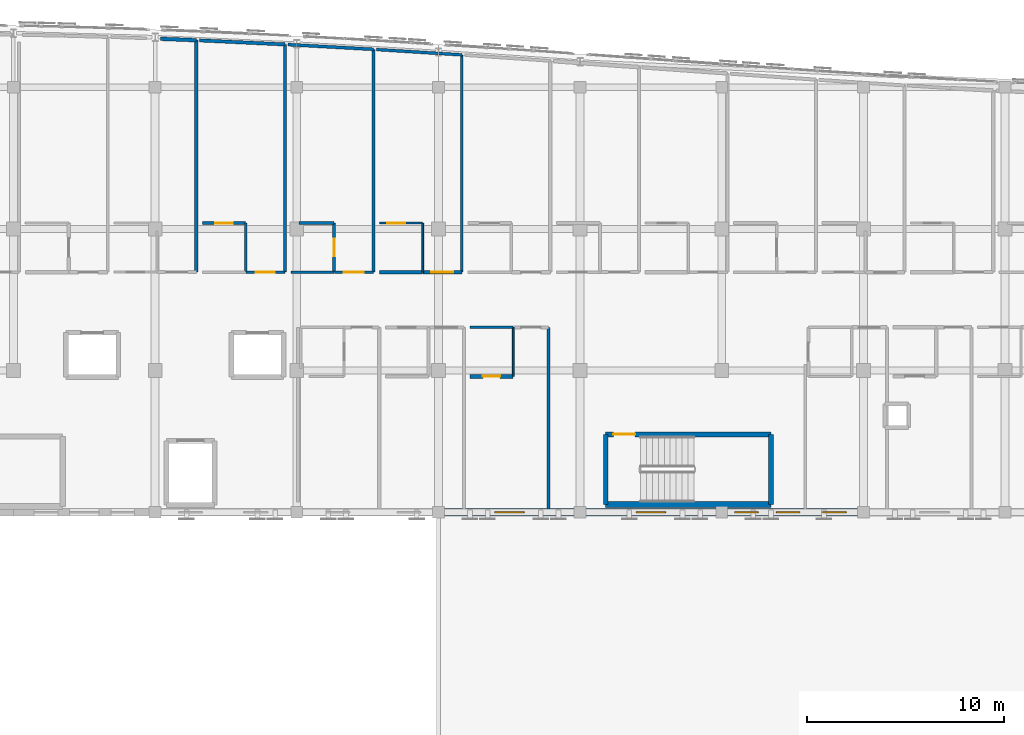
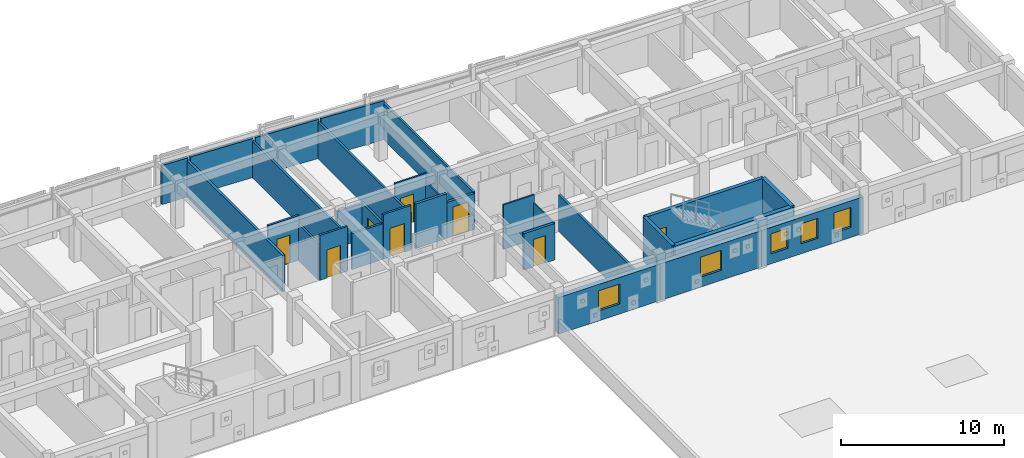
# One storey, part 43 of 50: 30 walls, 8 doors, 5 windows, 13 openings.
"""IFC4 building model written with IfcOpenShell, lengths in metres."""

from ifc_helpers import new_model, si_unit, direction, frame, frame_2d, origin, place, context, subcontext, project, spatial, rectangle, extrude, material, layer, layer_set, type_object, element, fill, save


model = new_model("IFC4")

# Units and contexts
model_context = context("Model", 3, precision=1e-05, world=origin(), true_north=direction((0.0, 1.0)))
body_context = subcontext(model_context, "Body", "Model", "MODEL_VIEW")
ifc_project = project(units=[si_unit("LENGTHUNIT", "METRE"), si_unit("AREAUNIT", "SQUARE_METRE"), si_unit("VOLUMEUNIT", "CUBIC_METRE"), si_unit("PLANEANGLEUNIT", "RADIAN"), si_unit("MASSUNIT", "GRAM", prefix="KILO")], contexts=[model_context])

# Site, building, storey
site_placement = place(None, origin())
site = spatial("IfcSite", under=ifc_project, at=site_placement, CompositionType="ELEMENT")
building_placement = place(site_placement, origin())
building = spatial("IfcBuilding", under=site, at=building_placement, Name="Carrowvane Square Congress Hotel", CompositionType="ELEMENT")
storey_placement = place(building_placement, frame((0.0, 0.0, 22.800048828125)))
storey = spatial("IfcBuildingStorey", under=building, at=storey_placement, Name="L05", CompositionType="ELEMENT", Elevation=22.800048828125)

# Wall, openings, windows
ifc_material_1 = material(Name="Glazed terracotta rainscreen", Category="masonry")
ifc_layer_1 = layer(ifc_material_1, 0.360107421875)
ifc_layer_set_1 = layer_set([ifc_layer_1], Name="Glazed terracotta rainscreen")
wall_type_1 = type_object("IfcWallType", Name="WL-EXT-TC360", PredefinedType="STANDARD", material=ifc_layer_set_1)
wall_1_placement = place(storey_placement, frame((148.39990234375, 91.800048828125, 0.0), z_axis=(0.0, 0.0, 1.0), x_axis=(-1.0, 0.0, 0.0)))
wall_1 = element("IfcWall", 1, at=wall_1_placement, inside=storey, type_object=wall_type_1, Name="L05 exterior facade wall 460", PredefinedType="STANDARD", context=body_context, shape_type="SweptSolid", body=[
    extrude(rectangle(XDim=7.199951171875, YDim=0.360107421875, at=frame_2d((3.60009765625, 0.0))), origin(), (0.0, 0.0, 1.0), 2.73486328125),
])
opening_1_placement = place(wall_1_placement, frame((0.875, 0.0, 0.75)))
opening_1 = element("IfcOpeningElement", 2, at=opening_1_placement, cuts=wall_1, Name="Opening W-01", PredefinedType="OPENING", context=body_context, shape_type="SweptSolid", body=[
    extrude(rectangle(XDim=1.199951171875, YDim=1.5, at=frame_2d((0.60009765625, 0.75))), frame((0.0, 0.18994140625, 0.0), z_axis=(0.0, -1.0, 0.0), x_axis=(1.0, 0.0, 0.0)), (0.0, 0.0, 1.0), 0.380126953125),
])
opening_2_placement = place(wall_1_placement, frame((3.22509765625, 0.0, 0.75)))
opening_2 = element("IfcOpeningElement", 3, at=opening_2_placement, cuts=wall_1, Name="Opening W-01", PredefinedType="OPENING", context=body_context, shape_type="SweptSolid", body=[
    extrude(rectangle(XDim=1.199951171875, YDim=1.5, at=frame_2d((0.60009765625, 0.75))), frame((0.0, 0.18994140625, 0.0), z_axis=(0.0, -1.0, 0.0), x_axis=(1.0, 0.0, 0.0)), (0.0, 0.0, 1.0), 0.380126953125),
])
opening_3_placement = place(wall_1_placement, frame((5.35009765625, 0.0, 0.75)))
opening_3 = element("IfcOpeningElement", 4, at=opening_3_placement, cuts=wall_1, Name="Opening W-01", PredefinedType="OPENING", context=body_context, shape_type="SweptSolid", body=[
    extrude(rectangle(XDim=1.199951171875, YDim=1.5, at=frame_2d((0.60009765625, 0.75))), frame((0.0, 0.18994140625, 0.0), z_axis=(0.0, -1.0, 0.0), x_axis=(1.0, 0.0, 0.0)), (0.0, 0.0, 1.0), 0.380126953125),
])
ifc_material_2 = material(Name="Double-glazed low-E glass", Category="glass")
window_type_1 = type_object("IfcWindowType", Name="WIN-01", PartitioningType="SINGLE_PANEL", PredefinedType="WINDOW", material=ifc_material_2)
window_1_placement = place(opening_1_placement, origin())
window_1 = element("IfcWindow", 5, at=window_1_placement, inside=storey, type_object=window_type_1, Name="L05 facade window 288", OverallHeight=1.5, OverallWidth=1.199951171875, PartitioningType="SINGLE_PANEL", PredefinedType="WINDOW", context=body_context, shape_type="SweptSolid", body=[
    extrude(rectangle(XDim=1.199951171875, YDim=1.5, at=frame_2d((0.60009765625, 0.75))), frame((0.0, 0.030029296875, 0.0), z_axis=(0.0, -1.0, 0.0), x_axis=(1.0, 0.0, 0.0)), (0.0, 0.0, 1.0), 0.06005859375),
])
fill(opening_1, window_1)
window_2_placement = place(opening_2_placement, origin())
window_2 = element("IfcWindow", 6, at=window_2_placement, inside=storey, type_object=window_type_1, Name="L05 split-bay facade window WIN-L05-0288-1", OverallHeight=1.5, OverallWidth=1.199951171875, PartitioningType="SINGLE_PANEL", PredefinedType="WINDOW", context=body_context, shape_type="SweptSolid", body=[
    extrude(rectangle(XDim=1.199951171875, YDim=1.5, at=frame_2d((0.60009765625, 0.75))), frame((0.0, 0.030029296875, 0.0), z_axis=(0.0, -1.0, 0.0), x_axis=(1.0, 0.0, 0.0)), (0.0, 0.0, 1.0), 0.06005859375),
])
fill(opening_2, window_2)
window_3_placement = place(opening_3_placement, origin())
window_3 = element("IfcWindow", 7, at=window_3_placement, inside=storey, type_object=window_type_1, Name="L05 split-bay facade window WIN-L05-0288-2", OverallHeight=1.5, OverallWidth=1.199951171875, PartitioningType="SINGLE_PANEL", PredefinedType="WINDOW", context=body_context, shape_type="SweptSolid", body=[
    extrude(rectangle(XDim=1.199951171875, YDim=1.5, at=frame_2d((0.60009765625, 0.75))), frame((0.0, 0.030029296875, 0.0), z_axis=(0.0, -1.0, 0.0), x_axis=(1.0, 0.0, 0.0)), (0.0, 0.0, 1.0), 0.06005859375),
])
fill(opening_3, window_3)

# Wall, opening, window
wall_2_placement = place(storey_placement, frame((141.199951171875, 91.800048828125, 0.0), z_axis=(0.0, 0.0, 1.0), x_axis=(-1.0, 0.0, 0.0)))
wall_2 = element("IfcWall", 8, at=wall_2_placement, inside=storey, type_object=wall_type_1, Name="L05 exterior facade wall 461", PredefinedType="STANDARD", context=body_context, shape_type="SweptSolid", body=[
    extrude(rectangle(XDim=7.199951171875, YDim=0.360107421875, at=frame_2d((3.60009765625, 0.0))), origin(), (0.0, 0.0, 1.0), 2.73486328125),
])
opening_4_placement = place(wall_2_placement, frame((2.85009765625, 0.0, 0.75)))
opening_4 = element("IfcOpeningElement", 9, at=opening_4_placement, cuts=wall_2, Name="Opening W-15", PredefinedType="OPENING", context=body_context, shape_type="SweptSolid", body=[
    extrude(rectangle(XDim=1.5, YDim=1.5, at=frame_2d((0.75, 0.75))), frame((0.0, 0.18994140625, 0.0), z_axis=(0.0, -1.0, 0.0), x_axis=(1.0, 0.0, 0.0)), (0.0, 0.0, 1.0), 0.380126953125),
])
ifc_material_3 = material(Name="Double-glazed low-E glass", Category="glass")
window_type_2 = type_object("IfcWindowType", Name="WIN-15", PartitioningType="SINGLE_PANEL", PredefinedType="WINDOW", material=ifc_material_3)
window_4_placement = place(opening_4_placement, origin())
window_4 = element("IfcWindow", 10, at=window_4_placement, inside=storey, type_object=window_type_2, Name="L05 facade window 289", OverallHeight=1.5, OverallWidth=1.5, PartitioningType="SINGLE_PANEL", PredefinedType="WINDOW", context=body_context, shape_type="SweptSolid", body=[
    extrude(rectangle(XDim=1.5, YDim=1.5, at=frame_2d((0.75, 0.75))), frame((0.0, 0.030029296875, 0.0), z_axis=(0.0, -1.0, 0.0), x_axis=(1.0, 0.0, 0.0)), (0.0, 0.0, 1.0), 0.06005859375),
])
fill(opening_4, window_4)

wall_3_placement = place(storey_placement, frame((134.0, 91.800048828125, 0.0), z_axis=(0.0, 0.0, 1.0), x_axis=(-1.0, 0.0, 0.0)))
wall_3 = element("IfcWall", 11, at=wall_3_placement, inside=storey, type_object=wall_type_1, Name="L05 exterior facade wall 462", PredefinedType="STANDARD", context=body_context, shape_type="SweptSolid", body=[
    extrude(rectangle(XDim=7.199951171875, YDim=0.360107421875, at=frame_2d((3.60009765625, 0.0))), origin(), (0.0, 0.0, 1.0), 2.73486328125),
])
opening_5_placement = place(wall_3_placement, frame((2.85009765625, 0.0, 0.75)))
opening_5 = element("IfcOpeningElement", 12, at=opening_5_placement, cuts=wall_3, Name="Opening W-15", PredefinedType="OPENING", context=body_context, shape_type="SweptSolid", body=[
    extrude(rectangle(XDim=1.5, YDim=1.5, at=frame_2d((0.75, 0.75))), frame((0.0, 0.18994140625, 0.0), z_axis=(0.0, -1.0, 0.0), x_axis=(1.0, 0.0, 0.0)), (0.0, 0.0, 1.0), 0.380126953125),
])
window_5_placement = place(opening_5_placement, origin())
window_5 = element("IfcWindow", 13, at=window_5_placement, inside=storey, type_object=window_type_2, Name="L05 facade window 290", OverallHeight=1.5, OverallWidth=1.5, PartitioningType="SINGLE_PANEL", PredefinedType="WINDOW", context=body_context, shape_type="SweptSolid", body=[
    extrude(rectangle(XDim=1.5, YDim=1.5, at=frame_2d((0.75, 0.75))), frame((0.0, 0.030029296875, 0.0), z_axis=(0.0, -1.0, 0.0), x_axis=(1.0, 0.0, 0.0)), (0.0, 0.0, 1.0), 0.06005859375),
])
fill(opening_5, window_5)

# Walls
ifc_material_4 = material(Name="Acoustic gypsum board", Category="gypsum")
ifc_layer_2 = layer(ifc_material_4, 0.155029296875)
ifc_layer_set_2 = layer_set([ifc_layer_2], Name="Acoustic gypsum board")
wall_type_2 = type_object("IfcWallType", Name="WL-FIR-155", PredefinedType="PARTITIONING", material=ifc_layer_set_2)
wall_4_placement = place(storey_placement, frame((132.389892578125, 101.199951171875, 0.0), z_axis=(0.0, 0.0, 1.0), x_axis=(0.0, -1.0, 0.0)))
element("IfcWall", 14, at=wall_4_placement, inside=storey, type_object=wall_type_2, Name="L05 Hotel Guest Bedroom 0509 partition", PredefinedType="PARTITIONING", context=body_context, shape_type="SweptSolid", body=[
    extrude(rectangle(XDim=9.239990234375, YDim=0.155029296875, at=frame_2d((4.6201171875, 0.0))), origin(), (0.0, 0.0, 1.0), 2.73486328125),
])
wall_5_placement = place(storey_placement, frame((118.989990234375, 115.578369140625, 0.0), z_axis=(0.0, 0.0, 1.0), x_axis=(0.0, -1.0, 0.0)))
element("IfcWall", 15, at=wall_5_placement, inside=storey, type_object=wall_type_2, Name="L05 Parkview Guest Bedroom 0526 partition", PredefinedType="PARTITIONING", context=body_context, shape_type="SweptSolid", body=[
    extrude(rectangle(XDim=11.578369140625, YDim=0.155029296875, at=frame_2d((5.7890625, 0.0))), origin(), (0.0, 0.0, 1.0), 2.73486328125),
])

# Wall, opening, door
wall_6_placement = place(storey_placement, frame((121.5, 106.5, 0.0), z_axis=(0.0, 0.0, 1.0), x_axis=(0.0, -1.0, 0.0)))
wall_6 = element("IfcWall", 16, at=wall_6_placement, inside=storey, type_object=wall_type_2, Name="L05 En-suite Bathroom 0527 partition", PredefinedType="PARTITIONING", context=body_context, shape_type="SweptSolid", body=[
    extrude(rectangle(XDim=2.5, YDim=0.155029296875, at=frame_2d((1.25, 0.0))), origin(), (0.0, 0.0, 1.0), 2.73486328125),
])
opening_6_placement = place(wall_6_placement, frame((0.81005859375, 0.0, 0.0)))
opening_6 = element("IfcOpeningElement", 17, at=opening_6_placement, cuts=wall_6, Name="Opening ID-01", PredefinedType="OPENING", context=body_context, shape_type="SweptSolid", body=[
    extrude(rectangle(XDim=0.8798828125, YDim=2.06005859375, at=frame_2d((0.43994140625, 1.030029296875))), frame((0.0, 0.08740234375, 0.0), z_axis=(0.0, -1.0, 0.0), x_axis=(1.0, 0.0, 0.0)), (0.0, 0.0, 1.0), 0.175048828125),
])
ifc_material_5 = material(Name="European oak timber", Category="wood")
door_type_1 = type_object("IfcDoorType", Name="DR-INT-0880x2060", OperationType="NOTDEFINED", PredefinedType="DOOR", material=ifc_material_5)
door_1_placement = place(opening_6_placement, origin())
door_1 = element("IfcDoor", 18, at=door_1_placement, inside=storey, type_object=door_type_1, Name="L05 En-suite Bathroom 0527 door", OperationType="SINGLE_SWING_LEFT", OverallHeight=2.06005859375, OverallWidth=0.8798828125, PredefinedType="DOOR", context=body_context, shape_type="SweptSolid", body=[
    extrude(rectangle(XDim=0.8798828125, YDim=2.06005859375, at=frame_2d((0.43994140625, 1.030029296875))), frame((0.0, 0.02490234375, 0.0), z_axis=(0.0, -1.0, 0.0), x_axis=(1.0, 0.0, 0.0)), (0.0, 0.0, 1.0), 0.050048828125),
])
fill(opening_6, door_1)

# Walls
wall_7_placement = place(storey_placement, frame((119.14990234375, 115.5703125, 0.0), z_axis=(0.0, 0.0, 1.0), x_axis=(0.998443544549, -0.055771752249, 0.0)))
element("IfcWall", 19, at=wall_7_placement, inside=storey, type_object=wall_type_2, Name="L05 Parkview Guest Bedroom 0527 partition", PredefinedType="PARTITIONING", context=body_context, shape_type="SweptSolid", body=[
    extrude(rectangle(XDim=4.346923828125, YDim=0.155029296875, at=frame_2d((2.17333984375, 0.0))), origin(), (0.0, 0.0, 1.0), 2.925537109375),
])
ifc_material_6 = material(Name="Acoustic gypsum board", Category="gypsum")
ifc_layer_3 = layer(ifc_material_6, 0.169921875)
ifc_layer_set_3 = layer_set([ifc_layer_3], Name="Acoustic gypsum board")
wall_type_3 = type_object("IfcWallType", Name="WL-FIR-170", PredefinedType="PARTITIONING", material=ifc_layer_set_3)
wall_8_placement = place(storey_placement, frame((114.489990234375, 115.7900390625, 0.0), z_axis=(0.0, 0.0, 1.0), x_axis=(0.0, -1.0, 0.0)))
element("IfcWall", 20, at=wall_8_placement, inside=storey, type_object=wall_type_3, Name="L05 Parkview Guest Bedroom 0525 partition", PredefinedType="PARTITIONING", context=body_context, shape_type="SweptSolid", body=[
    extrude(rectangle(XDim=11.7900390625, YDim=0.169921875, at=frame_2d((5.89501953125, 0.0))), origin(), (0.0, 0.0, 1.0), 2.73486328125),
])
wall_9_placement = place(storey_placement, frame((114.64990234375, 115.78369140625, 0.0), z_axis=(0.0, 0.0, 1.0), x_axis=(0.998882836316, -0.047255468602, 0.0)))
element("IfcWall", 21, at=wall_9_placement, inside=storey, type_object=wall_type_3, Name="L05 Parkview Guest Bedroom 0526 partition", PredefinedType="PARTITIONING", context=body_context, shape_type="SweptSolid", body=[
    extrude(rectangle(XDim=4.344970703125, YDim=0.169921875, at=frame_2d((2.17236328125, 0.0))), origin(), (0.0, 0.0, 1.0), 2.925537109375),
])
wall_10_placement = place(storey_placement, frame((119.7099609375, 106.5, 0.0), z_axis=(0.0, 0.0, 1.0), x_axis=(1.0, 0.0, 0.0)))
element("IfcWall", 22, at=wall_10_placement, inside=storey, type_object=wall_type_3, Name="L05 En-suite Bathroom 0527 partition", PredefinedType="PARTITIONING", context=body_context, shape_type="SweptSolid", body=[
    extrude(rectangle(XDim=1.7900390625, YDim=0.169921875, at=frame_2d((0.89501953125, 0.0))), origin(), (0.0, 0.0, 1.0), 2.68505859375),
])

# Wall, opening, door
ifc_material_7 = material(Name="Acoustic gypsum board", Category="gypsum")
ifc_layer_4 = layer(ifc_material_7, 0.18505859375)
ifc_layer_set_4 = layer_set([ifc_layer_4], Name="Acoustic gypsum board")
wall_type_4 = type_object("IfcWallType", Name="WL-FIR-185", PredefinedType="PARTITIONING", material=ifc_layer_set_4)
wall_11_placement = place(storey_placement, frame((130.60009765625, 98.699951171875, 0.0), z_axis=(0.0, 0.0, 1.0), x_axis=(-1.0, 0.0, 0.0)))
wall_11 = element("IfcWall", 23, at=wall_11_placement, inside=storey, type_object=wall_type_4, Name="L05 En-suite Bathroom 0509 partition", PredefinedType="PARTITIONING", context=body_context, shape_type="SweptSolid", body=[
    extrude(rectangle(XDim=2.2001953125, YDim=0.18505859375, at=frame_2d((1.10009765625, 0.0))), origin(), (0.0, 0.0, 1.0), 2.73486328125),
])
opening_7_placement = place(wall_11_placement, frame((0.659912109375, 0.0, 0.0)))
opening_7 = element("IfcOpeningElement", 24, at=opening_7_placement, cuts=wall_11, Name="Opening ID-01", PredefinedType="OPENING", context=body_context, shape_type="SweptSolid", body=[
    extrude(rectangle(XDim=0.8798828125, YDim=2.06005859375, at=frame_2d((0.43994140625, 1.030029296875))), frame((0.0, 0.1025390625, 0.0), z_axis=(0.0, -1.0, 0.0), x_axis=(1.0, 0.0, 0.0)), (0.0, 0.0, 1.0), 0.205078125),
])
door_2_placement = place(opening_7_placement, origin())
door_2 = element("IfcDoor", 25, at=door_2_placement, inside=storey, type_object=door_type_1, Name="L05 En-suite Bathroom 0509 door", OperationType="SINGLE_SWING_LEFT", OverallHeight=2.06005859375, OverallWidth=0.8798828125, PredefinedType="DOOR", context=body_context, shape_type="SweptSolid", body=[
    extrude(rectangle(XDim=0.8798828125, YDim=2.06005859375, at=frame_2d((0.43994140625, 1.030029296875))), frame((0.0, 0.02490234375, 0.0), z_axis=(0.0, -1.0, 0.0), x_axis=(1.0, 0.0, 0.0)), (0.0, 0.0, 1.0), 0.050048828125),
])
fill(opening_7, door_2)

# Walls
wall_12_placement = place(storey_placement, frame((112.6796875, 115.8623046875, 0.0), z_axis=(0.0, 0.0, 1.0), x_axis=(0.999204184401, -0.039887314711, 0.0)))
element("IfcWall", 26, at=wall_12_placement, inside=storey, type_object=wall_type_4, Name="L05 Parkview Guest Bedroom 0525 partition", PredefinedType="PARTITIONING", context=body_context, shape_type="SweptSolid", body=[
    extrude(rectangle(XDim=1.811767578125, YDim=0.18505859375, at=frame_2d((0.90576171875, 0.0))), origin(), (0.0, 0.0, 1.0), 2.925537109375),
])
wall_13_placement = place(storey_placement, frame((126.0, 104.0, 0.0), z_axis=(0.0, 0.0, 1.0), x_axis=(-1.0, 0.0, 0.0)))
element("IfcWall", 27, at=wall_13_placement, inside=storey, type_object=wall_type_4, Name="L05 En-suite Bathroom 0528 partition", PredefinedType="PARTITIONING", context=body_context, shape_type="SweptSolid", body=[
    extrude(rectangle(XDim=2.199951171875, YDim=0.18505859375, at=frame_2d((1.10009765625, 0.0))), origin(), (0.0, 0.0, 1.0), 3.349853515625),
])

# Wall, opening, door
wall_14_placement = place(storey_placement, frame((127.989990234375, 104.0, 0.0), z_axis=(0.0, 0.0, 1.0), x_axis=(-1.0, 0.0, 0.0)))
wall_14 = element("IfcWall", 28, at=wall_14_placement, inside=storey, type_object=wall_type_4, Name="L05 Parkview Guest Bedroom 0528 partition", PredefinedType="PARTITIONING", context=body_context, shape_type="SweptSolid", body=[
    extrude(rectangle(XDim=1.97998046875, YDim=0.18505859375, at=frame_2d((0.989990234375, 0.0))), origin(), (0.0, 0.0, 1.0), 2.68505859375),
])
opening_8_placement = place(wall_14_placement, frame((0.429931640625, 0.0, 0.0)))
opening_8 = element("IfcOpeningElement", 29, at=opening_8_placement, cuts=wall_14, Name="Opening FD-10", PredefinedType="OPENING", context=body_context, shape_type="SweptSolid", body=[
    extrude(rectangle(XDim=1.1201171875, YDim=2.199951171875, at=frame_2d((0.56005859375, 1.10009765625))), frame((0.0, 0.1025390625, 0.0), z_axis=(0.0, -1.0, 0.0), x_axis=(1.0, 0.0, 0.0)), (0.0, 0.0, 1.0), 0.205078125),
])
ifc_material_8 = material(Name="European oak timber", Category="wood")
door_type_2 = type_object("IfcDoorType", Name="DR-FD30-1120x2200", OperationType="NOTDEFINED", PredefinedType="DOOR", material=ifc_material_8)
door_3_placement = place(opening_8_placement, origin())
door_3 = element("IfcDoor", 30, at=door_3_placement, inside=storey, type_object=door_type_2, Name="L05 Parkview Guest Bedroom 0528 entrance door", OperationType="SINGLE_SWING_RIGHT", OverallHeight=2.199951171875, OverallWidth=1.1201171875, PredefinedType="DOOR", context=body_context, shape_type="SweptSolid", body=[
    extrude(rectangle(XDim=1.1201171875, YDim=2.199951171875, at=frame_2d((0.56005859375, 1.10009765625))), frame((0.0, 0.02490234375, 0.0), z_axis=(0.0, -1.0, 0.0), x_axis=(1.0, 0.0, 0.0)), (0.0, 0.0, 1.0), 0.050048828125),
])
fill(opening_8, door_3)

# Walls
ifc_material_9 = material(Name="Acoustic gypsum board", Category="gypsum")
ifc_layer_5 = layer(ifc_material_9, 0.097900390625)
ifc_layer_set_5 = layer_set([ifc_layer_5], Name="Acoustic gypsum board")
wall_type_5 = type_object("IfcWallType", Name="WL-PRT-098", PredefinedType="PARTITIONING", material=ifc_layer_set_5)
for number, where, z_axis, x_axis, name in (
    (31, (130.60009765625, 101.199951171875, 0.0), (0.0, 0.0, 1.0), (0.0, -1.0, 0.0), "L05 En-suite Bathroom 0509 partition"),
    (32, (126.0, 106.5, 0.0), (0.0, 0.0, 1.0), (0.0, -1.0, 0.0), "L05 En-suite Bathroom 0528 partition"),
):
    element("IfcWall", number, at=place(storey_placement, frame(where, z_axis=z_axis, x_axis=x_axis)), inside=storey, type_object=wall_type_5, Name=name, PredefinedType="PARTITIONING", context=body_context, shape_type="SweptSolid", body=[
        extrude(rectangle(XDim=2.5, YDim=0.097900390625, at=frame_2d((1.25, 0.0))), origin(), (0.0, 0.0, 1.0), 2.73486328125),
    ])
ifc_material_10 = material(Name="Acoustic gypsum board", Category="gypsum")
ifc_layer_6 = layer(ifc_material_10, 0.10791015625)
ifc_layer_set_6 = layer_set([ifc_layer_6], Name="Acoustic gypsum board")
wall_type_6 = type_object("IfcWallType", Name="WL-PRT-108", PredefinedType="PARTITIONING", material=ifc_layer_set_6)
wall_15_placement = place(storey_placement, frame((128.39990234375, 101.199951171875, 0.0), z_axis=(0.0, 0.0, 1.0), x_axis=(1.0, 0.0, 0.0)))
element("IfcWall", 33, at=wall_15_placement, inside=storey, type_object=wall_type_6, Name="L05 En-suite Bathroom 0509 partition", PredefinedType="PARTITIONING", context=body_context, shape_type="SweptSolid", body=[
    extrude(rectangle(XDim=2.2001953125, YDim=0.10791015625, at=frame_2d((1.10009765625, 0.0))), origin(), (0.0, 0.0, 1.0), 3.349853515625),
])

# Wall, opening, door
wall_16_placement = place(storey_placement, frame((123.800048828125, 106.5, 0.0), z_axis=(0.0, 0.0, 1.0), x_axis=(1.0, 0.0, 0.0)))
wall_16 = element("IfcWall", 34, at=wall_16_placement, inside=storey, type_object=wall_type_6, Name="L05 En-suite Bathroom 0528 partition", PredefinedType="PARTITIONING", context=body_context, shape_type="SweptSolid", body=[
    extrude(rectangle(XDim=2.199951171875, YDim=0.10791015625, at=frame_2d((1.10009765625, 0.0))), origin(), (0.0, 0.0, 1.0), 3.349853515625),
])
opening_9_placement = place(wall_16_placement, frame((0.389892578125, 0.0, 0.0)))
opening_9 = element("IfcOpeningElement", 35, at=opening_9_placement, cuts=wall_16, Name="Opening ID-03", PredefinedType="OPENING", context=body_context, shape_type="SweptSolid", body=[
    extrude(rectangle(XDim=0.919921875, YDim=2.10009765625, at=frame_2d((0.4599609375, 1.050048828125))), frame((0.0, 0.06396484375, 0.0), z_axis=(0.0, -1.0, 0.0), x_axis=(1.0, 0.0, 0.0)), (0.0, 0.0, 1.0), 0.1279296875),
])
ifc_material_11 = material(Name="European oak timber", Category="wood")
door_type_3 = type_object("IfcDoorType", Name="DR-INT-0920x2100", OperationType="NOTDEFINED", PredefinedType="DOOR", material=ifc_material_11)
door_4_placement = place(opening_9_placement, origin())
door_4 = element("IfcDoor", 36, at=door_4_placement, inside=storey, type_object=door_type_3, Name="L05 En-suite Bathroom 0528 door", OperationType="SINGLE_SWING_LEFT", OverallHeight=2.10009765625, OverallWidth=0.919921875, PredefinedType="DOOR", context=body_context, shape_type="SweptSolid", body=[
    extrude(rectangle(XDim=0.919921875, YDim=2.10009765625, at=frame_2d((0.4599609375, 1.050048828125))), frame((0.0, 0.02490234375, 0.0), z_axis=(0.0, -1.0, 0.0), x_axis=(1.0, 0.0, 0.0)), (0.0, 0.0, 1.0), 0.050048828125),
])
fill(opening_9, door_4)

# Wall
ifc_material_12 = material(Name="Acoustic gypsum board", Category="gypsum")
ifc_layer_7 = layer(ifc_material_12, 0.1279296875)
ifc_layer_set_7 = layer_set([ifc_layer_7], Name="Acoustic gypsum board")
wall_type_7 = type_object("IfcWallType", Name="WL-PRT-128", PredefinedType="PARTITIONING", material=ifc_layer_set_7)
wall_17_placement = place(storey_placement, frame((117.0, 106.5, 0.0), z_axis=(0.0, 0.0, 1.0), x_axis=(0.0, -1.0, 0.0)))
element("IfcWall", 37, at=wall_17_placement, inside=storey, type_object=wall_type_7, Name="L05 En-suite Bathroom 0526 partition", PredefinedType="PARTITIONING", context=body_context, shape_type="SweptSolid", body=[
    extrude(rectangle(XDim=2.5, YDim=0.1279296875, at=frame_2d((1.25, 0.0))), origin(), (0.0, 0.0, 1.0), 2.73486328125),
])

# Wall, opening, door
ifc_material_13 = material(Name="Acoustic gypsum board", Category="gypsum")
ifc_layer_8 = layer(ifc_material_13, 0.137939453125)
ifc_layer_set_8 = layer_set([ifc_layer_8], Name="Acoustic gypsum board")
wall_type_8 = type_object("IfcWallType", Name="WL-PRT-138", PredefinedType="PARTITIONING", material=ifc_layer_set_8)
wall_18_placement = place(storey_placement, frame((114.800048828125, 106.5, 0.0), z_axis=(0.0, 0.0, 1.0), x_axis=(1.0, 0.0, 0.0)))
wall_18 = element("IfcWall", 38, at=wall_18_placement, inside=storey, type_object=wall_type_8, Name="L05 En-suite Bathroom 0526 partition", PredefinedType="PARTITIONING", context=body_context, shape_type="SweptSolid", body=[
    extrude(rectangle(XDim=2.199951171875, YDim=0.137939453125, at=frame_2d((1.10009765625, 0.0))), origin(), (0.0, 0.0, 1.0), 3.349853515625),
])
opening_10_placement = place(wall_18_placement, frame((0.64501953125, 0.0, 0.0)))
opening_10 = element("IfcOpeningElement", 39, at=opening_10_placement, cuts=wall_18, Name="Opening ID-17", PredefinedType="OPENING", context=body_context, shape_type="SweptSolid", body=[
    extrude(rectangle(XDim=0.909912109375, YDim=2.110107421875, at=frame_2d((0.455078125, 1.05517578125))), frame((0.0, 0.078857421875, 0.0), z_axis=(0.0, -1.0, 0.0), x_axis=(1.0, 0.0, 0.0)), (0.0, 0.0, 1.0), 0.157958984375),
])
ifc_material_14 = material(Name="European oak timber", Category="wood")
door_type_4 = type_object("IfcDoorType", Name="DR-INT-0910x2110", OperationType="NOTDEFINED", PredefinedType="DOOR", material=ifc_material_14)
door_5_placement = place(opening_10_placement, origin())
door_5 = element("IfcDoor", 40, at=door_5_placement, inside=storey, type_object=door_type_4, Name="L05 En-suite Bathroom 0526 door", OperationType="SINGLE_SWING_LEFT", OverallHeight=2.110107421875, OverallWidth=0.909912109375, PredefinedType="DOOR", context=body_context, shape_type="SweptSolid", body=[
    extrude(rectangle(XDim=0.909912109375, YDim=2.110107421875, at=frame_2d((0.455078125, 1.05517578125))), frame((0.0, 0.02490234375, 0.0), z_axis=(0.0, -1.0, 0.0), x_axis=(1.0, 0.0, 0.0)), (0.0, 0.0, 1.0), 0.050048828125),
])
fill(opening_10, door_5)

wall_19_placement = place(storey_placement, frame((123.489990234375, 104.0, 0.0), z_axis=(0.0, 0.0, 1.0), x_axis=(-1.0, 0.0, 0.0)))
wall_19 = element("IfcWall", 41, at=wall_19_placement, inside=storey, type_object=wall_type_8, Name="L05 Parkview Guest Bedroom 0527 partition", PredefinedType="PARTITIONING", context=body_context, shape_type="SweptSolid", body=[
    extrude(rectangle(XDim=1.97998046875, YDim=0.137939453125, at=frame_2d((0.989990234375, 0.0))), origin(), (0.0, 0.0, 1.0), 3.349853515625),
])
opening_11_placement = place(wall_19_placement, frame((0.47998046875, 0.0, 0.0)))
opening_11 = element("IfcOpeningElement", 42, at=opening_11_placement, cuts=wall_19, Name="Opening FD-08", PredefinedType="OPENING", context=body_context, shape_type="SweptSolid", body=[
    extrude(rectangle(XDim=1.02001953125, YDim=2.14990234375, at=frame_2d((0.510009765625, 1.074951171875))), frame((0.0, 0.078857421875, 0.0), z_axis=(0.0, -1.0, 0.0), x_axis=(1.0, 0.0, 0.0)), (0.0, 0.0, 1.0), 0.157958984375),
])
ifc_material_15 = material(Name="European oak timber", Category="wood")
door_type_5 = type_object("IfcDoorType", Name="DR-FD30-1020x2150", OperationType="NOTDEFINED", PredefinedType="DOOR", material=ifc_material_15)
door_6_placement = place(opening_11_placement, origin())
door_6 = element("IfcDoor", 43, at=door_6_placement, inside=storey, type_object=door_type_5, Name="L05 Parkview Guest Bedroom 0527 entrance door", OperationType="SINGLE_SWING_RIGHT", OverallHeight=2.14990234375, OverallWidth=1.02001953125, PredefinedType="DOOR", context=body_context, shape_type="SweptSolid", body=[
    extrude(rectangle(XDim=1.02001953125, YDim=2.14990234375, at=frame_2d((0.510009765625, 1.074951171875))), frame((0.0, 0.02490234375, 0.0), z_axis=(0.0, -1.0, 0.0), x_axis=(1.0, 0.0, 0.0)), (0.0, 0.0, 1.0), 0.050048828125),
])
fill(opening_11, door_6)

# Wall
wall_20_placement = place(storey_placement, frame((127.989990234375, 115.04638671875, 0.0), z_axis=(0.0, 0.0, 1.0), x_axis=(0.0, -1.0, 0.0)))
element("IfcWall", 44, at=wall_20_placement, inside=storey, type_object=wall_type_8, Name="L05 Parkview Guest Bedroom 0528 partition", PredefinedType="PARTITIONING", context=body_context, shape_type="SweptSolid", body=[
    extrude(rectangle(XDim=11.04638671875, YDim=0.137939453125, at=frame_2d((5.523193359375, 0.0))), origin(), (0.0, 0.0, 1.0), 2.73486328125),
])

# Wall, opening, door
ifc_material_16 = material(Name="Acoustic gypsum board", Category="gypsum")
ifc_layer_9 = layer(ifc_material_16, 0.14794921875)
ifc_layer_set_9 = layer_set([ifc_layer_9], Name="Acoustic gypsum board")
wall_type_9 = type_object("IfcWallType", Name="WL-PRT-148", PredefinedType="PARTITIONING", material=ifc_layer_set_9)
wall_21_placement = place(storey_placement, frame((118.989990234375, 104.0, 0.0), z_axis=(0.0, 0.0, 1.0), x_axis=(-1.0, 0.0, 0.0)))
wall_21 = element("IfcWall", 45, at=wall_21_placement, inside=storey, type_object=wall_type_9, Name="L05 Parkview Guest Bedroom 0526 partition", PredefinedType="PARTITIONING", context=body_context, shape_type="SweptSolid", body=[
    extrude(rectangle(XDim=1.97998046875, YDim=0.14794921875, at=frame_2d((0.989990234375, 0.0))), origin(), (0.0, 0.0, 1.0), 3.349853515625),
])
opening_12_placement = place(wall_21_placement, frame((0.514892578125, 0.0, 0.0)))
opening_12 = element("IfcOpeningElement", 46, at=opening_12_placement, cuts=wall_21, Name="Opening FD-06", PredefinedType="OPENING", context=body_context, shape_type="SweptSolid", body=[
    extrude(rectangle(XDim=0.949951171875, YDim=2.10009765625, at=frame_2d((0.47509765625, 1.050048828125))), frame((0.0, 0.083984375, 0.0), z_axis=(0.0, -1.0, 0.0), x_axis=(1.0, 0.0, 0.0)), (0.0, 0.0, 1.0), 0.16796875),
])
ifc_material_17 = material(Name="European oak timber", Category="wood")
door_type_6 = type_object("IfcDoorType", Name="DR-FD30-0950x2100", OperationType="NOTDEFINED", PredefinedType="DOOR", material=ifc_material_17)
door_7_placement = place(opening_12_placement, origin())
door_7 = element("IfcDoor", 47, at=door_7_placement, inside=storey, type_object=door_type_6, Name="L05 Parkview Guest Bedroom 0526 entrance door", OperationType="SINGLE_SWING_RIGHT", OverallHeight=2.10009765625, OverallWidth=0.949951171875, PredefinedType="DOOR", context=body_context, shape_type="SweptSolid", body=[
    extrude(rectangle(XDim=0.949951171875, YDim=2.10009765625, at=frame_2d((0.47509765625, 1.050048828125))), frame((0.0, 0.02490234375, 0.0), z_axis=(0.0, -1.0, 0.0), x_axis=(1.0, 0.0, 0.0)), (0.0, 0.0, 1.0), 0.050048828125),
])
fill(opening_12, door_7)

# Walls
wall_22_placement = place(storey_placement, frame((121.5, 104.0, 0.0), z_axis=(0.0, 0.0, 1.0), x_axis=(-1.0, 0.0, 0.0)))
element("IfcWall", 48, at=wall_22_placement, inside=storey, type_object=wall_type_9, Name="L05 En-suite Bathroom 0527 partition", PredefinedType="PARTITIONING", context=body_context, shape_type="SweptSolid", body=[
    extrude(rectangle(XDim=2.199951171875, YDim=0.14794921875, at=frame_2d((1.10009765625, 0.0))), origin(), (0.0, 0.0, 1.0), 2.68505859375),
])
wall_23_placement = place(storey_placement, frame((123.489990234375, 115.327880859375, 0.0), z_axis=(0.0, 0.0, 1.0), x_axis=(0.0, -1.0, 0.0)))
element("IfcWall", 49, at=wall_23_placement, inside=storey, type_object=wall_type_9, Name="L05 Parkview Guest Bedroom 0527 partition", PredefinedType="PARTITIONING", context=body_context, shape_type="SweptSolid", body=[
    extrude(rectangle(XDim=11.327880859375, YDim=0.14794921875, at=frame_2d((5.6640625, 0.0))), origin(), (0.0, 0.0, 1.0), 2.73486328125),
])
wall_24_placement = place(storey_placement, frame((123.64990234375, 115.318603515625, 0.0), z_axis=(0.0, 0.0, 1.0), x_axis=(0.998038791722, -0.062598484152, 0.0)))
element("IfcWall", 50, at=wall_24_placement, inside=storey, type_object=wall_type_9, Name="L05 Parkview Guest Bedroom 0528 partition", PredefinedType="PARTITIONING", context=body_context, shape_type="SweptSolid", body=[
    extrude(rectangle(XDim=4.3486328125, YDim=0.14794921875, at=frame_2d((2.17431640625, 0.0))), origin(), (0.0, 0.0, 1.0), 2.925537109375),
])
ifc_material_18 = material(Name="Concrete C40/50", Category="concrete")
ifc_layer_10 = layer(ifc_material_18, 0.22509765625)
ifc_layer_set_10 = layer_set([ifc_layer_10], Name="Concrete C40/50")
wall_type_10 = type_object("IfcWallType", Name="WL-SHR-225", PredefinedType="SHEAR", material=ifc_layer_set_10)
wall_25_placement = place(storey_placement, frame((135.300048828125, 95.760009765625, 0.0), z_axis=(0.0, 0.0, 1.0), x_axis=(0.0, -1.0, 0.0)))
element("IfcWall", 51, at=wall_25_placement, inside=storey, type_object=wall_type_10, Name="L05 ST12 core wall west", PredefinedType="SHEAR", context=body_context, shape_type="SweptSolid", body=[
    extrude(rectangle(XDim=3.56005859375, YDim=0.22509765625, at=frame_2d((1.780029296875, 0.0))), origin(), (0.0, 0.0, 1.0), 3.349853515625),
])

# Wall, opening, door
ifc_material_19 = material(Name="Concrete C40/50", Category="concrete")
ifc_layer_11 = layer(ifc_material_19, 0.25)
ifc_layer_set_11 = layer_set([ifc_layer_11], Name="Concrete C40/50")
wall_type_11 = type_object("IfcWallType", Name="WL-SHR-250", PredefinedType="SHEAR", material=ifc_layer_set_11)
wall_26_placement = place(storey_placement, frame((143.699951171875, 95.760009765625, 0.0), z_axis=(0.0, 0.0, 1.0), x_axis=(-1.0, 0.0, 0.0)))
wall_26 = element("IfcWall", 52, at=wall_26_placement, inside=storey, type_object=wall_type_11, Name="L05 ST12 core wall north", PredefinedType="SHEAR", context=body_context, shape_type="SweptSolid", body=[
    extrude(rectangle(XDim=8.39990234375, YDim=0.25, at=frame_2d((4.199951171875, 0.0))), origin(), (0.0, 0.0, 1.0), 3.349853515625),
])
opening_13_placement = place(wall_26_placement, frame((6.909912109375, 0.0, 0.0)))
opening_13 = element("IfcOpeningElement", 53, at=opening_13_placement, cuts=wall_26, Name="Opening FD-01", PredefinedType="OPENING", context=body_context, shape_type="SweptSolid", body=[
    extrude(rectangle(XDim=1.10009765625, YDim=2.10009765625, at=frame_2d((0.550048828125, 1.050048828125))), frame((0.0, 0.135009765625, 0.0), z_axis=(0.0, -1.0, 0.0), x_axis=(1.0, 0.0, 0.0)), (0.0, 0.0, 1.0), 0.27001953125),
])
ifc_material_20 = material(Name="European oak timber", Category="wood")
door_type_7 = type_object("IfcDoorType", Name="DR-FD60-1100x2100", OperationType="NOTDEFINED", PredefinedType="DOOR", material=ifc_material_20)
door_8_placement = place(opening_13_placement, origin())
door_8 = element("IfcDoor", 54, at=door_8_placement, inside=storey, type_object=door_type_7, Name="L05 ST12 fire door", OperationType="SINGLE_SWING_RIGHT", OverallHeight=2.10009765625, OverallWidth=1.10009765625, PredefinedType="DOOR", context=body_context, shape_type="SweptSolid", body=[
    extrude(rectangle(XDim=1.10009765625, YDim=2.10009765625, at=frame_2d((0.550048828125, 1.050048828125))), frame((0.0, 0.02490234375, 0.0), z_axis=(0.0, -1.0, 0.0), x_axis=(1.0, 0.0, 0.0)), (0.0, 0.0, 1.0), 0.050048828125),
])
fill(opening_13, door_8)

# Walls
ifc_material_21 = material(Name="Concrete C40/50", Category="concrete")
ifc_layer_12 = layer(ifc_material_21, 0.27490234375)
ifc_layer_set_12 = layer_set([ifc_layer_12], Name="Concrete C40/50")
wall_type_12 = type_object("IfcWallType", Name="WL-SHR-275", PredefinedType="SHEAR", material=ifc_layer_set_12)
wall_27_placement = place(storey_placement, frame((143.699951171875, 92.199951171875, 0.0), z_axis=(0.0, 0.0, 1.0), x_axis=(0.0, 1.0, 0.0)))
element("IfcWall", 55, at=wall_27_placement, inside=storey, type_object=wall_type_12, Name="L05 ST12 core wall east", PredefinedType="SHEAR", context=body_context, shape_type="SweptSolid", body=[
    extrude(rectangle(XDim=3.56005859375, YDim=0.27490234375, at=frame_2d((1.780029296875, 0.0))), origin(), (0.0, 0.0, 1.0), 3.349853515625),
])
ifc_material_22 = material(Name="Concrete C40/50", Category="concrete")
ifc_layer_13 = layer(ifc_material_22, 0.300048828125)
ifc_layer_set_13 = layer_set([ifc_layer_13], Name="Concrete C40/50")
wall_type_13 = type_object("IfcWallType", Name="WL-SHR-300", PredefinedType="SHEAR", material=ifc_layer_set_13)
wall_28_placement = place(storey_placement, frame((135.300048828125, 92.199951171875, 0.0), z_axis=(0.0, 0.0, 1.0), x_axis=(1.0, 0.0, 0.0)))
element("IfcWall", 56, at=wall_28_placement, inside=storey, type_object=wall_type_13, Name="L05 ST12 core wall south", PredefinedType="SHEAR", context=body_context, shape_type="SweptSolid", body=[
    extrude(rectangle(XDim=8.39990234375, YDim=0.300048828125, at=frame_2d((4.199951171875, 0.0))), origin(), (0.0, 0.0, 1.0), 3.349853515625),
])

save(model, "model.ifc")
